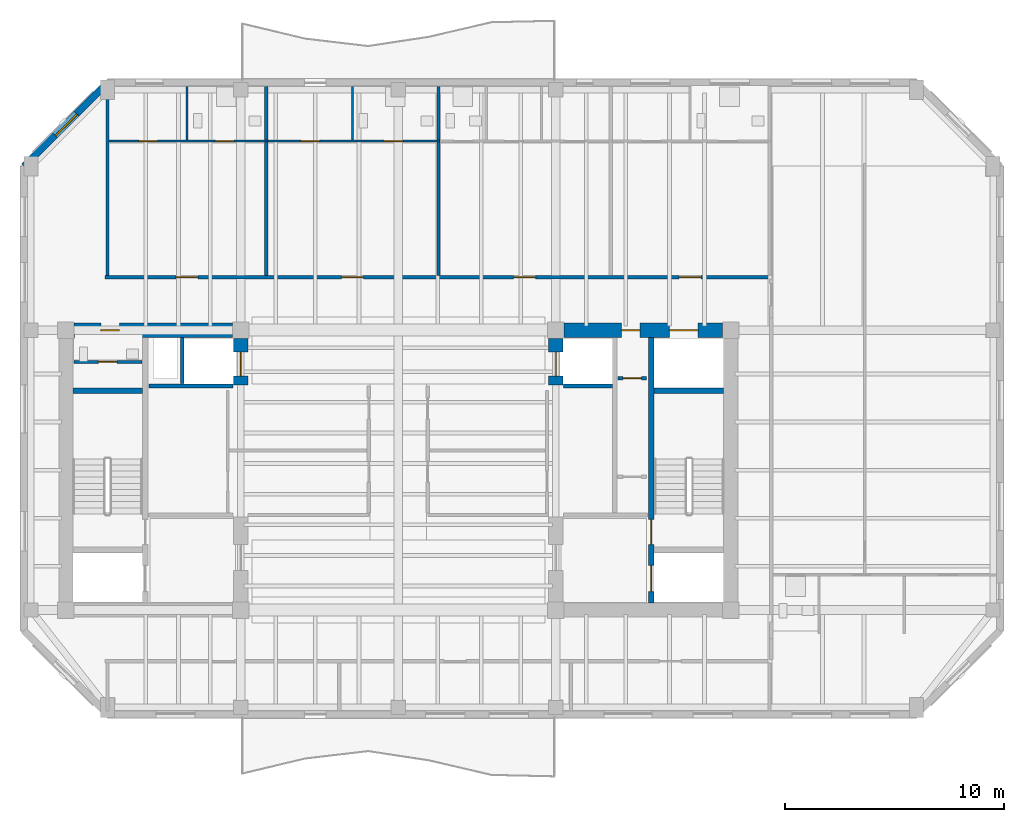
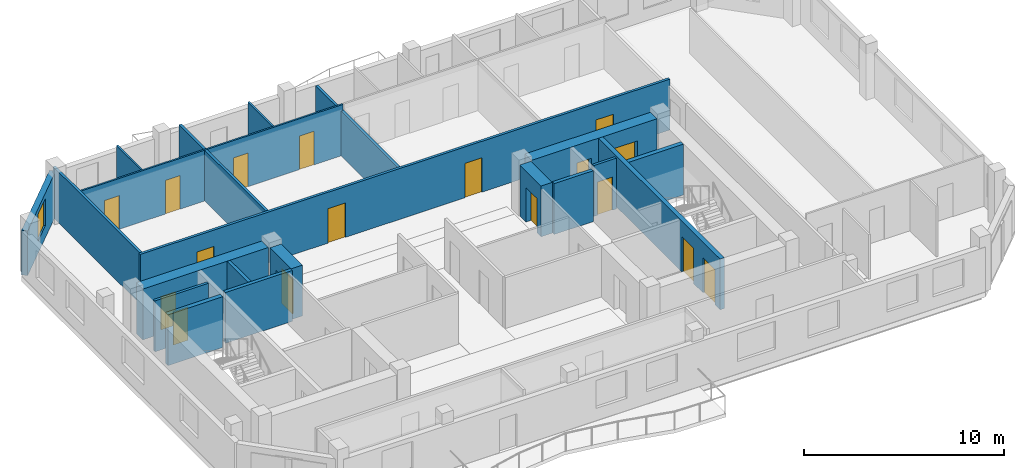
# One storey, part 4 of 9: 21 walls, 17 doors, 1 window, 18 openings.
"""IFC4 building model written with IfcOpenShell, lengths in metres."""

from ifc_helpers import new_model, si_unit, direction, frame, frame_2d, origin, place, context, subcontext, project, spatial, rectangle, extrude, material, layer, layer_set, type_object, element, fill, save


model = new_model("IFC4")

# Units and contexts
model_context = context("Model", 3, precision=1e-05, world=origin(), true_north=direction((0.0, 1.0)))
body_context = subcontext(model_context, "Body", "Model", "MODEL_VIEW")
ifc_project = project(units=[si_unit("LENGTHUNIT", "METRE"), si_unit("AREAUNIT", "SQUARE_METRE"), si_unit("VOLUMEUNIT", "CUBIC_METRE"), si_unit("PLANEANGLEUNIT", "RADIAN"), si_unit("MASSUNIT", "GRAM", prefix="KILO")], contexts=[model_context])

# Site, building, storey
site_placement = place(None, origin())
site = spatial("IfcSite", under=ifc_project, at=site_placement, CompositionType="ELEMENT")
building_placement = place(site_placement, origin())
building = spatial("IfcBuilding", under=site, at=building_placement, Name="Kranthara Brick Stack", CompositionType="ELEMENT")
storey_placement = place(building_placement, frame((0.0, 0.0, 261.89990234375)))
storey = spatial("IfcBuildingStorey", under=building, at=storey_placement, Name="L69", CompositionType="ELEMENT", Elevation=261.89990234375)

# Wall, opening, window
ifc_material_1 = material(Name="Warm buff clay brick masonry M15", Category="masonry")
ifc_layer_1 = layer(ifc_material_1, 0.320068359375)
ifc_layer_set_1 = layer_set([ifc_layer_1], Name="Warm buff clay brick masonry M15")
wall_type_1 = type_object("IfcWallType", Name="WL-BRK-UPPR-320", PredefinedType="STANDARD", material=ifc_layer_set_1)
wall_1_placement = place(storey_placement, frame((10.8798828125, 41.10009765625, 0.0), z_axis=(0.0, 0.0, 1.0), x_axis=(0.70712937715, 0.707084184501, 0.0)))
wall_1 = element("IfcWall", 1, at=wall_1_placement, inside=storey, type_object=wall_type_1, Name="L69 Exterior Brick Facade Wall NW 1", PredefinedType="STANDARD", context=body_context, shape_type="SweptSolid", body=[
    extrude(rectangle(XDim=5.402099609375, YDim=0.320068359375, at=frame_2d((2.701171875, 0.0))), origin(), (0.0, 0.0, 1.0), 2.72509765625),
])
opening_1_placement = place(wall_1_placement, frame((2.0009765625, 0.0, 0.75)))
opening_1 = element("IfcOpeningElement", 2, at=opening_1_placement, cuts=wall_1, Name="Opening WN10", PredefinedType="OPENING", context=body_context, shape_type="SweptSolid", body=[
    extrude(rectangle(XDim=1.39990234375, YDim=1.64990234375, at=frame_2d((0.699951171875, 0.824951171875))), frame((0.0, 0.169921875, 0.0), z_axis=(0.0, -1.0, 0.0), x_axis=(1.0, 0.0, 0.0)), (0.0, 0.0, 1.0), 0.340087890625),
])
ifc_material_2 = material(Name="Double-glazed low-E solar control glass", Category="glass")
window_type = type_object("IfcWindowType", Name="WN-CHM-1400x1750", PartitioningType="SINGLE_PANEL", PredefinedType="WINDOW", material=ifc_material_2)
window_placement = place(opening_1_placement, origin())
window = element("IfcWindow", 3, at=window_placement, inside=storey, type_object=window_type, Name="L69 NW Chamfer Corner Window", OverallHeight=1.64990234375, OverallWidth=1.39990234375, PartitioningType="SINGLE_PANEL", PredefinedType="WINDOW", context=body_context, shape_type="SweptSolid", body=[
    extrude(rectangle(XDim=1.39990234375, YDim=1.64990234375, at=frame_2d((0.699951171875, 0.824951171875))), frame((0.0, -0.010009765625, 0.0), z_axis=(0.0, -1.0, 0.0), x_axis=(1.0, 0.0, 0.0)), (0.0, 0.0, 1.0), 0.06005859375),
])
fill(opening_1, window)

# Wall
ifc_material_3 = material(Name="Concrete C50/60", Category="concrete")
ifc_layer_2 = layer(ifc_material_3, 0.25)
ifc_layer_set_2 = layer_set([ifc_layer_2], Name="Concrete C50/60")
wall_type_2 = type_object("IfcWallType", Name="WL-CORE-250", PredefinedType="SHEAR", material=ifc_layer_set_2)
wall_2_placement = place(storey_placement, frame((13.135009765625, 30.830078125, 0.0), z_axis=(0.0, 0.0, 1.0), x_axis=(1.0, 0.0, 0.0)))
element("IfcWall", 4, at=wall_2_placement, inside=storey, type_object=wall_type_2, Name="L69 West Stairwell Bearing Wall WST", PredefinedType="SHEAR", context=body_context, shape_type="SweptSolid", body=[
    extrude(rectangle(XDim=3.175048828125, YDim=0.25, at=frame_2d((1.58740234375, 0.0))), origin(), (0.0, 0.0, 1.0), 3.10009765625),
])

# Wall, openings, doors
wall_3_placement = place(storey_placement, frame((39.56494140625, 21.135009765625, 0.0), z_axis=(0.0, 0.0, 1.0), x_axis=(0.0, 1.0, 0.0)))
wall_3 = element("IfcWall", 5, at=wall_3_placement, inside=storey, type_object=wall_type_2, Name="L69 East Core Stair Bearing Spine Wall", PredefinedType="SHEAR", context=body_context, shape_type="SweptSolid", body=[
    extrude(rectangle(XDim=12.1298828125, YDim=0.25, at=frame_2d((6.06494140625, 0.0))), origin(), (0.0, 0.0, 1.0), 3.10009765625),
])
opening_2_placement = place(wall_3_placement, frame((0.514892578125, 0.0, 0.0)))
opening_2 = element("IfcOpeningElement", 6, at=opening_2_placement, cuts=wall_3, Name="Opening LD01", PredefinedType="OPENING", context=body_context, shape_type="SweptSolid", body=[
    extrude(rectangle(XDim=1.199951171875, YDim=2.14990234375, at=frame_2d((0.60009765625, 1.074951171875))), frame((0.0, 0.135009765625, 0.0), z_axis=(0.0, -1.0, 0.0), x_axis=(1.0, 0.0, 0.0)), (0.0, 0.0, 1.0), 0.27001953125),
])
opening_3_placement = place(wall_3_placement, frame((2.6650390625, 0.0, 0.0)))
opening_3 = element("IfcOpeningElement", 7, at=opening_3_placement, cuts=wall_3, Name="Opening D05", PredefinedType="OPENING", context=body_context, shape_type="SweptSolid", body=[
    extrude(rectangle(XDim=1.14990234375, YDim=2.14990234375, at=frame_2d((0.574951171875, 1.074951171875))), frame((0.0, 0.135009765625, 0.0), z_axis=(0.0, -1.0, 0.0), x_axis=(1.0, 0.0, 0.0)), (0.0, 0.0, 1.0), 0.27001953125),
])
ifc_material_4 = material(Name="Stainless steel sliding landing door", Category="steel")
door_type_1 = type_object("IfcDoorType", Name="DR-LD-FF1200", OperationType="DOUBLE_DOOR_SLIDING", PredefinedType="DOOR", material=ifc_material_4)
door_1_placement = place(opening_2_placement, origin())
door_1 = element("IfcDoor", 8, at=door_1_placement, inside=storey, type_object=door_type_1, Name="L69 Firefighting Lift FF-02 Landing Door", OperationType="DOUBLE_DOOR_SLIDING", OverallHeight=2.14990234375, OverallWidth=1.199951171875, PredefinedType="DOOR", context=body_context, shape_type="SweptSolid", body=[
    extrude(rectangle(XDim=1.199951171875, YDim=2.14990234375, at=frame_2d((0.60009765625, 1.074951171875))), frame((0.0, 0.02490234375, 0.0), z_axis=(0.0, -1.0, 0.0), x_axis=(1.0, 0.0, 0.0)), (0.0, 0.0, 1.0), 0.050048828125),
])
fill(opening_2, door_1)
ifc_material_5 = material(Name="Solid-core hardwood timber leaf in steel frame", Category="steel")
door_type_2 = type_object("IfcDoorType", Name="DR-ST-1150", OperationType="NOTDEFINED", PredefinedType="DOOR", material=ifc_material_5)
door_2_placement = place(opening_3_placement, origin())
door_2 = element("IfcDoor", 9, at=door_2_placement, inside=storey, type_object=door_type_2, Name="L69 Exit Stair ST02 Door", OperationType="SINGLE_SWING_LEFT", OverallHeight=2.14990234375, OverallWidth=1.14990234375, PredefinedType="DOOR", context=body_context, shape_type="SweptSolid", body=[
    extrude(rectangle(XDim=1.14990234375, YDim=2.14990234375, at=frame_2d((0.574951171875, 1.074951171875))), frame((0.0, 0.02490234375, 0.0), z_axis=(0.0, -1.0, 0.0), x_axis=(1.0, 0.0, 0.0)), (0.0, 0.0, 1.0), 0.050048828125),
])
fill(opening_3, door_2)

# Wall
wall_4_placement = place(storey_placement, frame((39.68994140625, 30.830078125, 0.0), z_axis=(0.0, 0.0, 1.0), x_axis=(1.0, 0.0, 0.0)))
element("IfcWall", 10, at=wall_4_placement, inside=storey, type_object=wall_type_2, Name="L69 East Stairwell Bearing Wall EST", PredefinedType="SHEAR", context=body_context, shape_type="SweptSolid", body=[
    extrude(rectangle(XDim=3.175048828125, YDim=0.25, at=frame_2d((1.58740234375, 0.0))), origin(), (0.0, 0.0, 1.0), 3.10009765625),
])

# Wall, opening, door
ifc_material_6 = material(Name="Concrete C60/75", Category="concrete")
ifc_layer_3 = layer(ifc_material_6, 0.64990234375)
ifc_layer_set_3 = layer_set([ifc_layer_3], Name="Concrete C60/75")
wall_type_3 = type_object("IfcWallType", Name="WL-CORE-650", PredefinedType="SHEAR", material=ifc_layer_set_3)
wall_5_placement = place(storey_placement, frame((13.179931640625, 33.60009765625, 0.0), z_axis=(0.0, 0.0, 1.0), x_axis=(1.0, 0.0, 0.0)))
wall_5 = element("IfcWall", 11, at=wall_5_placement, inside=storey, type_object=wall_type_3, Name="L69 West Core Shear Wall North", PredefinedType="SHEAR", context=body_context, shape_type="SweptSolid", body=[
    extrude(rectangle(XDim=7.239990234375, YDim=0.64990234375, at=frame_2d((3.6201171875, 0.0))), origin(), (0.0, 0.0, 1.0), 3.10009765625),
])
opening_4_placement = place(wall_5_placement, frame((1.219970703125, 0.0, 0.0)))
opening_4 = element("IfcOpeningElement", 12, at=opening_4_placement, cuts=wall_5, Name="Opening D10", PredefinedType="OPENING", context=body_context, shape_type="SweptSolid", body=[
    extrude(rectangle(XDim=0.85009765625, YDim=2.02001953125, at=frame_2d((0.425048828125, 1.010009765625))), frame((0.0, 0.3349609375, 0.0), z_axis=(0.0, -1.0, 0.0), x_axis=(1.0, 0.0, 0.0)), (0.0, 0.0, 1.0), 0.669921875),
])
ifc_material_7 = material(Name="Solid-core hardwood timber leaf in steel frame", Category="steel")
door_type_3 = type_object("IfcDoorType", Name="DR-RSR-850", OperationType="NOTDEFINED", PredefinedType="DOOR", material=ifc_material_7)
door_3_placement = place(opening_4_placement, origin())
door_3 = element("IfcDoor", 13, at=door_3_placement, inside=storey, type_object=door_type_3, Name="L69 West Core Service Door 1", OperationType="SINGLE_SWING_LEFT", OverallHeight=2.02001953125, OverallWidth=0.85009765625, PredefinedType="DOOR", context=body_context, shape_type="SweptSolid", body=[
    extrude(rectangle(XDim=0.85009765625, YDim=2.02001953125, at=frame_2d((0.425048828125, 1.010009765625))), frame((0.0, 0.02490234375, 0.0), z_axis=(0.0, -1.0, 0.0), x_axis=(1.0, 0.0, 0.0)), (0.0, 0.0, 1.0), 0.050048828125),
])
fill(opening_4, door_3)

wall_6_placement = place(storey_placement, frame((20.800048828125, 31.10009765625, 0.0), z_axis=(0.0, 0.0, 1.0), x_axis=(0.0, 1.0, 0.0)))
wall_6 = element("IfcWall", 14, at=wall_6_placement, inside=storey, type_object=wall_type_3, Name="L69 West Core High-Rise Lift Wall", PredefinedType="SHEAR", context=body_context, shape_type="SweptSolid", body=[
    extrude(rectangle(XDim=2.119873046875, YDim=0.64990234375, at=frame_2d((1.06005859375, 0.0))), origin(), (0.0, 0.0, 1.0), 3.10009765625),
])
opening_5_placement = place(wall_6_placement, frame((0.39990234375, 0.0, 0.0)))
opening_5 = element("IfcOpeningElement", 15, at=opening_5_placement, cuts=wall_6, Name="Opening LD02", PredefinedType="OPENING", context=body_context, shape_type="SweptSolid", body=[
    extrude(rectangle(XDim=1.10009765625, YDim=2.10009765625, at=frame_2d((0.550048828125, 1.050048828125))), frame((0.0, 0.3349609375, 0.0), z_axis=(0.0, -1.0, 0.0), x_axis=(1.0, 0.0, 0.0)), (0.0, 0.0, 1.0), 0.669921875),
])
ifc_material_8 = material(Name="Stainless steel sliding landing door", Category="steel")
door_type_4 = type_object("IfcDoorType", Name="DR-LD-PL1100", OperationType="DOUBLE_DOOR_SLIDING", PredefinedType="DOOR", material=ifc_material_8)
door_4_placement = place(opening_5_placement, origin())
door_4 = element("IfcDoor", 16, at=door_4_placement, inside=storey, type_object=door_type_4, Name="L69 PL-07 Lift Landing Door", OperationType="DOUBLE_DOOR_SLIDING", OverallHeight=2.10009765625, OverallWidth=1.10009765625, PredefinedType="DOOR", context=body_context, shape_type="SweptSolid", body=[
    extrude(rectangle(XDim=1.10009765625, YDim=2.10009765625, at=frame_2d((0.550048828125, 1.050048828125))), frame((0.0, 0.02490234375, 0.0), z_axis=(0.0, -1.0, 0.0), x_axis=(1.0, 0.0, 0.0)), (0.0, 0.0, 1.0), 0.050048828125),
])
fill(opening_5, door_4)

# Wall, openings, doors
wall_7_placement = place(storey_placement, frame((35.580078125, 33.60009765625, 0.0), z_axis=(0.0, 0.0, 1.0), x_axis=(1.0, 0.0, 0.0)))
wall_7 = element("IfcWall", 17, at=wall_7_placement, inside=storey, type_object=wall_type_3, Name="L69 East Core Shear Wall North", PredefinedType="SHEAR", context=body_context, shape_type="SweptSolid", body=[
    extrude(rectangle(XDim=7.239990234375, YDim=0.64990234375, at=frame_2d((3.6201171875, 0.0))), origin(), (0.0, 0.0, 1.0), 3.10009765625),
])
opening_6_placement = place(wall_7_placement, frame((4.820068359375, 0.0, 0.0)))
opening_6 = element("IfcOpeningElement", 18, at=opening_6_placement, cuts=wall_7, Name="Opening LD03", PredefinedType="OPENING", context=body_context, shape_type="SweptSolid", body=[
    extrude(rectangle(XDim=1.300048828125, YDim=2.14990234375, at=frame_2d((0.64990234375, 1.074951171875))), frame((0.0, 0.3349609375, 0.0), z_axis=(0.0, -1.0, 0.0), x_axis=(1.0, 0.0, 0.0)), (0.0, 0.0, 1.0), 0.669921875),
])
opening_7_placement = place(wall_7_placement, frame((2.6201171875, 0.0, 0.0)))
opening_7 = element("IfcOpeningElement", 19, at=opening_7_placement, cuts=wall_7, Name="Opening D10", PredefinedType="OPENING", context=body_context, shape_type="SweptSolid", body=[
    extrude(rectangle(XDim=0.85009765625, YDim=2.02001953125, at=frame_2d((0.425048828125, 1.010009765625))), frame((0.0, 0.3349609375, 0.0), z_axis=(0.0, -1.0, 0.0), x_axis=(1.0, 0.0, 0.0)), (0.0, 0.0, 1.0), 0.669921875),
])
ifc_material_9 = material(Name="Stainless steel sliding landing door", Category="steel")
door_type_5 = type_object("IfcDoorType", Name="DR-LD-SV1300", OperationType="DOUBLE_DOOR_SLIDING", PredefinedType="DOOR", material=ifc_material_9)
door_5_placement = place(opening_6_placement, origin())
door_5 = element("IfcDoor", 20, at=door_5_placement, inside=storey, type_object=door_type_5, Name="L69 Stretcher Service Lift SV-01 Landing Door", OperationType="DOUBLE_DOOR_SLIDING", OverallHeight=2.14990234375, OverallWidth=1.300048828125, PredefinedType="DOOR", context=body_context, shape_type="SweptSolid", body=[
    extrude(rectangle(XDim=1.300048828125, YDim=2.14990234375, at=frame_2d((0.64990234375, 1.074951171875))), frame((0.0, 0.02490234375, 0.0), z_axis=(0.0, -1.0, 0.0), x_axis=(1.0, 0.0, 0.0)), (0.0, 0.0, 1.0), 0.050048828125),
])
fill(opening_6, door_5)
door_6_placement = place(opening_7_placement, origin())
door_6 = element("IfcDoor", 21, at=door_6_placement, inside=storey, type_object=door_type_3, Name="L69 East Core Service Room Door", OperationType="SINGLE_SWING_LEFT", OverallHeight=2.02001953125, OverallWidth=0.85009765625, PredefinedType="DOOR", context=body_context, shape_type="SweptSolid", body=[
    extrude(rectangle(XDim=0.85009765625, YDim=2.02001953125, at=frame_2d((0.425048828125, 1.010009765625))), frame((0.0, 0.02490234375, 0.0), z_axis=(0.0, -1.0, 0.0), x_axis=(1.0, 0.0, 0.0)), (0.0, 0.0, 1.0), 0.050048828125),
])
fill(opening_7, door_6)

# Wall, opening, door
wall_8_placement = place(storey_placement, frame((35.199951171875, 31.10009765625, 0.0), z_axis=(0.0, 0.0, 1.0), x_axis=(0.0, 1.0, 0.0)))
wall_8 = element("IfcWall", 22, at=wall_8_placement, inside=storey, type_object=wall_type_3, Name="L69 East Core High-Rise Lift Wall", PredefinedType="SHEAR", context=body_context, shape_type="SweptSolid", body=[
    extrude(rectangle(XDim=2.119873046875, YDim=0.64990234375, at=frame_2d((1.06005859375, 0.0))), origin(), (0.0, 0.0, 1.0), 3.10009765625),
])
opening_8_placement = place(wall_8_placement, frame((0.39990234375, 0.0, 0.0)))
opening_8 = element("IfcOpeningElement", 23, at=opening_8_placement, cuts=wall_8, Name="Opening LD02", PredefinedType="OPENING", context=body_context, shape_type="SweptSolid", body=[
    extrude(rectangle(XDim=1.10009765625, YDim=2.10009765625, at=frame_2d((0.550048828125, 1.050048828125))), frame((0.0, 0.3349609375, 0.0), z_axis=(0.0, -1.0, 0.0), x_axis=(1.0, 0.0, 0.0)), (0.0, 0.0, 1.0), 0.669921875),
])
door_7_placement = place(opening_8_placement, origin())
door_7 = element("IfcDoor", 24, at=door_7_placement, inside=storey, type_object=door_type_4, Name="L69 PL-08 Lift Landing Door", OperationType="DOUBLE_DOOR_SLIDING", OverallHeight=2.10009765625, OverallWidth=1.10009765625, PredefinedType="DOOR", context=body_context, shape_type="SweptSolid", body=[
    extrude(rectangle(XDim=1.10009765625, YDim=2.10009765625, at=frame_2d((0.550048828125, 1.050048828125))), frame((0.0, 0.02490234375, 0.0), z_axis=(0.0, -1.0, 0.0), x_axis=(1.0, 0.0, 0.0)), (0.0, 0.0, 1.0), 0.050048828125),
])
fill(opening_8, door_7)

# Wall, openings, doors
ifc_material_10 = material(Name="Moisture-resistant wet-room partition", Category="other")
ifc_layer_4 = layer(ifc_material_10, 0.10009765625)
ifc_layer_set_4 = layer_set([ifc_layer_4], Name="Moisture-resistant wet-room partition")
wall_type_4 = type_object("IfcWallType", Name="WL-PART-100", PredefinedType="PARTITIONING", material=ifc_layer_set_4)
wall_9_placement = place(storey_placement, frame((14.780029296875, 42.25, 0.0), z_axis=(0.0, 0.0, 1.0), x_axis=(1.0, 0.0, 0.0)))
wall_9 = element("IfcWall", 25, at=wall_9_placement, inside=storey, type_object=wall_type_4, Name="L69 Interior Partition 019", PredefinedType="PARTITIONING", context=body_context, shape_type="SweptSolid", body=[
    extrude(rectangle(XDim=7.22705078125, YDim=0.10009765625, at=frame_2d((3.613525390625, 0.0))), origin(), (0.0, 0.0, 1.0), 3.10009765625),
])
opening_9_placement = place(wall_9_placement, frame((1.35205078125, 0.0, 0.0)))
opening_9 = element("IfcOpeningElement", 26, at=opening_9_placement, cuts=wall_9, Name="Opening D16", PredefinedType="OPENING", context=body_context, shape_type="SweptSolid", body=[
    extrude(rectangle(XDim=0.85009765625, YDim=2.050048828125, at=frame_2d((0.425048828125, 1.02490234375))), frame((0.0, 0.06005859375, 0.0), z_axis=(0.0, -1.0, 0.0), x_axis=(1.0, 0.0, 0.0)), (0.0, 0.0, 1.0), 0.1201171875),
])
opening_10_placement = place(wall_9_placement, frame((4.85595703125, 0.0, 0.0)))
opening_10 = element("IfcOpeningElement", 27, at=opening_10_placement, cuts=wall_9, Name="Opening D17", PredefinedType="OPENING", context=body_context, shape_type="SweptSolid", body=[
    extrude(rectangle(XDim=0.85009765625, YDim=2.050048828125, at=frame_2d((0.425048828125, 1.02490234375))), frame((0.0, 0.06005859375, 0.0), z_axis=(0.0, -1.0, 0.0), x_axis=(1.0, 0.0, 0.0)), (0.0, 0.0, 1.0), 0.1201171875),
])
ifc_material_11 = material(Name="Solid-core hardwood timber leaf in steel frame", Category="steel")
door_type_6 = type_object("IfcDoorType", Name="DR-INT-850", OperationType="NOTDEFINED", PredefinedType="DOOR", material=ifc_material_11)
door_8_placement = place(opening_9_placement, origin())
door_8 = element("IfcDoor", 28, at=door_8_placement, inside=storey, type_object=door_type_6, Name="L69 Unit L69A Kitchen 14", OperationType="SINGLE_SWING_RIGHT", OverallHeight=2.050048828125, OverallWidth=0.85009765625, PredefinedType="DOOR", context=body_context, shape_type="SweptSolid", body=[
    extrude(rectangle(XDim=0.85009765625, YDim=2.050048828125, at=frame_2d((0.425048828125, 1.02490234375))), frame((0.0, 0.02490234375, 0.0), z_axis=(0.0, -1.0, 0.0), x_axis=(1.0, 0.0, 0.0)), (0.0, 0.0, 1.0), 0.050048828125),
])
fill(opening_9, door_8)
ifc_material_12 = material(Name="Solid-core hardwood timber leaf in steel frame", Category="steel")
door_type_7 = type_object("IfcDoorType", Name="DR-WET-850", OperationType="NOTDEFINED", PredefinedType="DOOR", material=ifc_material_12)
door_9_placement = place(opening_10_placement, origin())
door_9 = element("IfcDoor", 29, at=door_9_placement, inside=storey, type_object=door_type_7, Name="L69 Unit L69A Bathroom 15", OperationType="SINGLE_SWING_LEFT", OverallHeight=2.050048828125, OverallWidth=0.85009765625, PredefinedType="DOOR", context=body_context, shape_type="SweptSolid", body=[
    extrude(rectangle(XDim=0.85009765625, YDim=2.050048828125, at=frame_2d((0.425048828125, 1.02490234375))), frame((0.0, 0.02490234375, 0.0), z_axis=(0.0, -1.0, 0.0), x_axis=(1.0, 0.0, 0.0)), (0.0, 0.0, 1.0), 0.050048828125),
])
fill(opening_10, door_9)

# Wall
wall_10_placement = place(storey_placement, frame((18.333984375, 42.304931640625, 0.0), z_axis=(0.0, 0.0, 1.0), x_axis=(0.0, 1.0, 0.0)))
element("IfcWall", 30, at=wall_10_placement, inside=storey, type_object=wall_type_4, Name="L69 Interior Partition 020", PredefinedType="PARTITIONING", context=body_context, shape_type="SweptSolid", body=[
    extrude(rectangle(XDim=2.449951171875, YDim=0.10009765625, at=frame_2d((1.22509765625, 0.0))), origin(), (0.0, 0.0, 1.0), 3.10009765625),
])

# Wall, openings, doors
wall_11_placement = place(storey_placement, frame((22.047119140625, 42.25, 0.0), z_axis=(0.0, 0.0, 1.0), x_axis=(1.0, 0.0, 0.0)))
wall_11 = element("IfcWall", 31, at=wall_11_placement, inside=storey, type_object=wall_type_4, Name="L69 Interior Partition 022", PredefinedType="PARTITIONING", context=body_context, shape_type="SweptSolid", body=[
    extrude(rectangle(XDim=7.832763671875, YDim=0.10009765625, at=frame_2d((3.91650390625, 0.0))), origin(), (0.0, 0.0, 1.0), 3.10009765625),
])
opening_11_placement = place(wall_11_placement, frame((1.5029296875, 0.0, 0.0)))
opening_11 = element("IfcOpeningElement", 32, at=opening_11_placement, cuts=wall_11, Name="Opening D16", PredefinedType="OPENING", context=body_context, shape_type="SweptSolid", body=[
    extrude(rectangle(XDim=0.85009765625, YDim=2.050048828125, at=frame_2d((0.425048828125, 1.02490234375))), frame((0.0, 0.06005859375, 0.0), z_axis=(0.0, -1.0, 0.0), x_axis=(1.0, 0.0, 0.0)), (0.0, 0.0, 1.0), 0.1201171875),
])
opening_12_placement = place(wall_11_placement, frame((5.31005859375, 0.0, 0.0)))
opening_12 = element("IfcOpeningElement", 33, at=opening_12_placement, cuts=wall_11, Name="Opening D17", PredefinedType="OPENING", context=body_context, shape_type="SweptSolid", body=[
    extrude(rectangle(XDim=0.85009765625, YDim=2.050048828125, at=frame_2d((0.425048828125, 1.02490234375))), frame((0.0, 0.06005859375, 0.0), z_axis=(0.0, -1.0, 0.0), x_axis=(1.0, 0.0, 0.0)), (0.0, 0.0, 1.0), 0.1201171875),
])
door_10_placement = place(opening_11_placement, origin())
door_10 = element("IfcDoor", 34, at=door_10_placement, inside=storey, type_object=door_type_6, Name="L69 Unit L69B Kitchen 17", OperationType="SINGLE_SWING_LEFT", OverallHeight=2.050048828125, OverallWidth=0.85009765625, PredefinedType="DOOR", context=body_context, shape_type="SweptSolid", body=[
    extrude(rectangle(XDim=0.85009765625, YDim=2.050048828125, at=frame_2d((0.425048828125, 1.02490234375))), frame((0.0, 0.02490234375, 0.0), z_axis=(0.0, -1.0, 0.0), x_axis=(1.0, 0.0, 0.0)), (0.0, 0.0, 1.0), 0.050048828125),
])
fill(opening_11, door_10)
door_11_placement = place(opening_12_placement, origin())
door_11 = element("IfcDoor", 35, at=door_11_placement, inside=storey, type_object=door_type_7, Name="L69 Unit L69B Bathroom 18", OperationType="SINGLE_SWING_RIGHT", OverallHeight=2.050048828125, OverallWidth=0.85009765625, PredefinedType="DOOR", context=body_context, shape_type="SweptSolid", body=[
    extrude(rectangle(XDim=0.85009765625, YDim=2.050048828125, at=frame_2d((0.425048828125, 1.02490234375))), frame((0.0, 0.02490234375, 0.0), z_axis=(0.0, -1.0, 0.0), x_axis=(1.0, 0.0, 0.0)), (0.0, 0.0, 1.0), 0.050048828125),
])
fill(opening_12, door_11)

# Wall
wall_12_placement = place(storey_placement, frame((25.904052734375, 42.304931640625, 0.0), z_axis=(0.0, 0.0, 1.0), x_axis=(0.0, 1.0, 0.0)))
element("IfcWall", 36, at=wall_12_placement, inside=storey, type_object=wall_type_4, Name="L69 Interior Partition 023", PredefinedType="PARTITIONING", context=body_context, shape_type="SweptSolid", body=[
    extrude(rectangle(XDim=2.449951171875, YDim=0.10009765625, at=frame_2d((1.22509765625, 0.0))), origin(), (0.0, 0.0, 1.0), 3.10009765625),
])

# Wall, opening, door
ifc_material_13 = material(Name="Fire-rated gypsum board partition", Category="other")
ifc_layer_5 = layer(ifc_material_13, 0.14990234375)
ifc_layer_set_5 = layer_set([ifc_layer_5], Name="Fire-rated gypsum board partition")
wall_type_5 = type_object("IfcWallType", Name="WL-PART-150", PredefinedType="PARTITIONING", material=ifc_layer_set_5)
wall_13_placement = place(storey_placement, frame((13.179931640625, 32.14990234375, 0.0), z_axis=(0.0, 0.0, 1.0), x_axis=(1.0, 0.0, 0.0)))
wall_13 = element("IfcWall", 37, at=wall_13_placement, inside=storey, type_object=wall_type_5, Name="L69 Interior Partition 001", PredefinedType="PARTITIONING", context=body_context, shape_type="SweptSolid", body=[
    extrude(rectangle(XDim=3.10009765625, YDim=0.14990234375, at=frame_2d((1.550048828125, 0.0))), origin(), (0.0, 0.0, 1.0), 3.10009765625),
])
opening_13_placement = place(wall_13_placement, frame((1.10009765625, 0.0, 0.0)))
opening_13 = element("IfcOpeningElement", 38, at=opening_13_placement, cuts=wall_13, Name="Opening D10", PredefinedType="OPENING", context=body_context, shape_type="SweptSolid", body=[
    extrude(rectangle(XDim=0.85009765625, YDim=2.02001953125, at=frame_2d((0.425048828125, 1.010009765625))), frame((0.0, 0.0849609375, 0.0), z_axis=(0.0, -1.0, 0.0), x_axis=(1.0, 0.0, 0.0)), (0.0, 0.0, 1.0), 0.169921875),
])
door_12_placement = place(opening_13_placement, origin())
door_12 = element("IfcDoor", 39, at=door_12_placement, inside=storey, type_object=door_type_3, Name="L69 West Inner Riser Door 01", OperationType="SINGLE_SWING_LEFT", OverallHeight=2.02001953125, OverallWidth=0.85009765625, PredefinedType="DOOR", context=body_context, shape_type="SweptSolid", body=[
    extrude(rectangle(XDim=0.85009765625, YDim=2.02001953125, at=frame_2d((0.425048828125, 1.010009765625))), frame((0.0, 0.02490234375, 0.0), z_axis=(0.0, -1.0, 0.0), x_axis=(1.0, 0.0, 0.0)), (0.0, 0.0, 1.0), 0.050048828125),
])
fill(opening_13, door_12)

wall_14_placement = place(storey_placement, frame((38.050048828125, 31.39990234375, 0.0), z_axis=(0.0, 0.0, 1.0), x_axis=(1.0, 0.0, 0.0)))
wall_14 = element("IfcWall", 40, at=wall_14_placement, inside=storey, type_object=wall_type_5, Name="L69 Interior Partition 003", PredefinedType="PARTITIONING", context=body_context, shape_type="SweptSolid", body=[
    extrude(rectangle(XDim=1.300048828125, YDim=0.14990234375, at=frame_2d((0.64990234375, 0.0))), origin(), (0.0, 0.0, 1.0), 3.10009765625),
])
opening_14_placement = place(wall_14_placement, frame((0.219970703125, 0.0, 0.0)))
opening_14 = element("IfcOpeningElement", 41, at=opening_14_placement, cuts=wall_14, Name="Opening D10", PredefinedType="OPENING", context=body_context, shape_type="SweptSolid", body=[
    extrude(rectangle(XDim=0.85009765625, YDim=2.02001953125, at=frame_2d((0.425048828125, 1.010009765625))), frame((0.0, 0.0849609375, 0.0), z_axis=(0.0, -1.0, 0.0), x_axis=(1.0, 0.0, 0.0)), (0.0, 0.0, 1.0), 0.169921875),
])
door_13_placement = place(opening_14_placement, origin())
door_13 = element("IfcDoor", 42, at=door_13_placement, inside=storey, type_object=door_type_3, Name="L69 East Switch Door 03", OperationType="SINGLE_SWING_LEFT", OverallHeight=2.02001953125, OverallWidth=0.85009765625, PredefinedType="DOOR", context=body_context, shape_type="SweptSolid", body=[
    extrude(rectangle(XDim=0.85009765625, YDim=2.02001953125, at=frame_2d((0.425048828125, 1.010009765625))), frame((0.0, 0.02490234375, 0.0), z_axis=(0.0, -1.0, 0.0), x_axis=(1.0, 0.0, 0.0)), (0.0, 0.0, 1.0), 0.050048828125),
])
fill(opening_14, door_13)

# Wall, openings, doors
wall_15_placement = place(storey_placement, frame((14.580078125, 36.02001953125, 0.0), z_axis=(0.0, 0.0, 1.0), x_axis=(1.0, 0.0, 0.0)))
wall_15 = element("IfcWall", 43, at=wall_15_placement, inside=storey, type_object=wall_type_5, Name="L69 Interior Partition 017", PredefinedType="PARTITIONING", context=body_context, shape_type="SweptSolid", body=[
    extrude(rectangle(XDim=30.52001953125, YDim=0.14990234375, at=frame_2d((15.260009765625, 0.0))), origin(), (0.0, 0.0, 1.0), 3.10009765625),
])
opening_15_placement = place(wall_15_placement, frame((3.2529296875, 0.0, 0.0)))
opening_15 = element("IfcOpeningElement", 44, at=opening_15_placement, cuts=wall_15, Name="Opening D08", PredefinedType="OPENING", context=body_context, shape_type="SweptSolid", body=[
    extrude(rectangle(XDim=1.0, YDim=2.10009765625, at=frame_2d((0.5, 1.050048828125))), frame((0.0, 0.0849609375, 0.0), z_axis=(0.0, -1.0, 0.0), x_axis=(1.0, 0.0, 0.0)), (0.0, 0.0, 1.0), 0.169921875),
])
opening_16_placement = place(wall_15_placement, frame((10.822998046875, 0.0, 0.0)))
opening_16 = element("IfcOpeningElement", 45, at=opening_16_placement, cuts=wall_15, Name="Opening D08", PredefinedType="OPENING", context=body_context, shape_type="SweptSolid", body=[
    extrude(rectangle(XDim=1.0, YDim=2.10009765625, at=frame_2d((0.5, 1.050048828125))), frame((0.0, 0.0849609375, 0.0), z_axis=(0.0, -1.0, 0.0), x_axis=(1.0, 0.0, 0.0)), (0.0, 0.0, 1.0), 0.169921875),
])
opening_17_placement = place(wall_15_placement, frame((18.697021484375, 0.0, 0.0)))
opening_17 = element("IfcOpeningElement", 46, at=opening_17_placement, cuts=wall_15, Name="Opening D08", PredefinedType="OPENING", context=body_context, shape_type="SweptSolid", body=[
    extrude(rectangle(XDim=1.0, YDim=2.10009765625, at=frame_2d((0.5, 1.050048828125))), frame((0.0, 0.0849609375, 0.0), z_axis=(0.0, -1.0, 0.0), x_axis=(1.0, 0.0, 0.0)), (0.0, 0.0, 1.0), 0.169921875),
])
opening_18_placement = place(wall_15_placement, frame((26.26708984375, 0.0, 0.0)))
opening_18 = element("IfcOpeningElement", 47, at=opening_18_placement, cuts=wall_15, Name="Opening D08", PredefinedType="OPENING", context=body_context, shape_type="SweptSolid", body=[
    extrude(rectangle(XDim=1.0, YDim=2.10009765625, at=frame_2d((0.5, 1.050048828125))), frame((0.0, 0.0849609375, 0.0), z_axis=(0.0, -1.0, 0.0), x_axis=(1.0, 0.0, 0.0)), (0.0, 0.0, 1.0), 0.169921875),
])
ifc_material_14 = material(Name="Solid-core hardwood timber leaf in steel frame", Category="steel")
door_type_8 = type_object("IfcDoorType", Name="DR-FD-1000", OperationType="NOTDEFINED", PredefinedType="DOOR", material=ifc_material_14)
door_14_placement = place(opening_15_placement, origin())
door_14 = element("IfcDoor", 48, at=door_14_placement, inside=storey, type_object=door_type_8, Name="L69 Unit L69A Entrance 13", OperationType="SINGLE_SWING_LEFT", OverallHeight=2.10009765625, OverallWidth=1.0, PredefinedType="DOOR", context=body_context, shape_type="SweptSolid", body=[
    extrude(rectangle(XDim=1.0, YDim=2.10009765625, at=frame_2d((0.5, 1.050048828125))), frame((0.0, 0.02490234375, 0.0), z_axis=(0.0, -1.0, 0.0), x_axis=(1.0, 0.0, 0.0)), (0.0, 0.0, 1.0), 0.050048828125),
])
fill(opening_15, door_14)
door_15_placement = place(opening_16_placement, origin())
door_15 = element("IfcDoor", 49, at=door_15_placement, inside=storey, type_object=door_type_8, Name="L69 Unit L69B Entrance 16", OperationType="SINGLE_SWING_RIGHT", OverallHeight=2.10009765625, OverallWidth=1.0, PredefinedType="DOOR", context=body_context, shape_type="SweptSolid", body=[
    extrude(rectangle(XDim=1.0, YDim=2.10009765625, at=frame_2d((0.5, 1.050048828125))), frame((0.0, 0.02490234375, 0.0), z_axis=(0.0, -1.0, 0.0), x_axis=(1.0, 0.0, 0.0)), (0.0, 0.0, 1.0), 0.050048828125),
])
fill(opening_16, door_15)
door_16_placement = place(opening_17_placement, origin())
door_16 = element("IfcDoor", 50, at=door_16_placement, inside=storey, type_object=door_type_8, Name="L69 Unit L69C Entrance 19", OperationType="SINGLE_SWING_LEFT", OverallHeight=2.10009765625, OverallWidth=1.0, PredefinedType="DOOR", context=body_context, shape_type="SweptSolid", body=[
    extrude(rectangle(XDim=1.0, YDim=2.10009765625, at=frame_2d((0.5, 1.050048828125))), frame((0.0, 0.02490234375, 0.0), z_axis=(0.0, -1.0, 0.0), x_axis=(1.0, 0.0, 0.0)), (0.0, 0.0, 1.0), 0.050048828125),
])
fill(opening_17, door_16)
door_17_placement = place(opening_18_placement, origin())
door_17 = element("IfcDoor", 51, at=door_17_placement, inside=storey, type_object=door_type_8, Name="L69 Unit L69D Entrance 23", OperationType="SINGLE_SWING_LEFT", OverallHeight=2.10009765625, OverallWidth=1.0, PredefinedType="DOOR", context=body_context, shape_type="SweptSolid", body=[
    extrude(rectangle(XDim=1.0, YDim=2.10009765625, at=frame_2d((0.5, 1.050048828125))), frame((0.0, 0.02490234375, 0.0), z_axis=(0.0, -1.0, 0.0), x_axis=(1.0, 0.0, 0.0)), (0.0, 0.0, 1.0), 0.050048828125),
])
fill(opening_18, door_17)

# Walls
for number, where, z_axis, x_axis, name in (
    (52, (14.699951171875, 36.10009765625, 0.0), (0.0, 0.0, 1.0), (0.0, 1.0, 0.0), "L69 Interior Partition 018"),
    (53, (21.967041015625, 36.10009765625, 0.0), (0.0, 0.0, 1.0), (0.0, 1.0, 0.0), "L69 Interior Partition 021"),
):
    element("IfcWall", number, at=place(storey_placement, frame(where, z_axis=z_axis, x_axis=x_axis)), inside=storey, type_object=wall_type_5, Name=name, PredefinedType="PARTITIONING", context=body_context, shape_type="SweptSolid", body=[
        extrude(rectangle(XDim=8.65478515625, YDim=0.14990234375, at=frame_2d((4.327392578125, 0.0))), origin(), (0.0, 0.0, 1.0), 3.10009765625),
    ])
wall_16_placement = place(storey_placement, frame((29.840087890625, 36.10009765625, 0.0), z_axis=(0.0, 0.0, 1.0), x_axis=(0.0, 1.0, 0.0)))
element("IfcWall", 54, at=wall_16_placement, inside=storey, type_object=wall_type_5, Name="L69 Interior Partition 024", PredefinedType="PARTITIONING", context=body_context, shape_type="SweptSolid", body=[
    extrude(rectangle(XDim=8.65478515625, YDim=0.14990234375, at=frame_2d((4.327392578125, 0.0))), origin(), (0.0, 0.0, 1.0), 2.72509765625),
])
ifc_material_15 = material(Name="Gypsum plasterboard on acoustic twin stud", Category="other")
ifc_layer_6 = layer(ifc_material_15, 0.179931640625)
ifc_layer_set_6 = layer_set([ifc_layer_6], Name="Gypsum plasterboard on acoustic twin stud")
wall_type_6 = type_object("IfcWallType", Name="WL-PART-180", PredefinedType="PARTITIONING", material=ifc_layer_set_6)
wall_17_placement = place(storey_placement, frame((18.1201171875, 31.169921875, 0.0), z_axis=(0.0, 0.0, 1.0), x_axis=(0.0, 1.0, 0.0)))
element("IfcWall", 55, at=wall_17_placement, inside=storey, type_object=wall_type_6, Name="L69 PL-07 Shaft Back Wall", PredefinedType="PARTITIONING", context=body_context, shape_type="SweptSolid", body=[
    extrude(rectangle(XDim=2.094970703125, YDim=0.179931640625, at=frame_2d((1.04736328125, 0.0))), origin(), (0.0, 0.0, 1.0), 3.10009765625),
])
ifc_material_16 = material(Name="Concrete C40/50", Category="concrete")
ifc_layer_7 = layer(ifc_material_16, 0.199951171875)
ifc_layer_set_7 = layer_set([ifc_layer_7], Name="Concrete C40/50")
wall_type_7 = type_object("IfcWallType", Name="WL-PART-200", PredefinedType="SOLIDWALL", material=ifc_layer_set_7)
wall_18_placement = place(storey_placement, frame((16.60009765625, 31.050048828125, 0.0), z_axis=(0.0, 0.0, 1.0), x_axis=(1.0, 0.0, 0.0)))
element("IfcWall", 56, at=wall_18_placement, inside=storey, type_object=wall_type_7, Name="L69 West Core Cross Wall WH4", PredefinedType="SOLIDWALL", context=body_context, shape_type="SweptSolid", body=[
    extrude(rectangle(XDim=3.849853515625, YDim=0.199951171875, at=frame_2d((1.9248046875, 0.0))), origin(), (0.0, 0.0, 1.0), 3.10009765625),
])
wall_19_placement = place(storey_placement, frame((35.550048828125, 31.050048828125, 0.0), z_axis=(0.0, 0.0, 1.0), x_axis=(1.0, 0.0, 0.0)))
element("IfcWall", 57, at=wall_19_placement, inside=storey, type_object=wall_type_7, Name="L69 East Core Cross Wall EE4", PredefinedType="SOLIDWALL", context=body_context, shape_type="SweptSolid", body=[
    extrude(rectangle(XDim=2.25, YDim=0.199951171875, at=frame_2d((1.125, 0.0))), origin(), (0.0, 0.0, 1.0), 3.10009765625),
])

save(model, "model.ifc")
